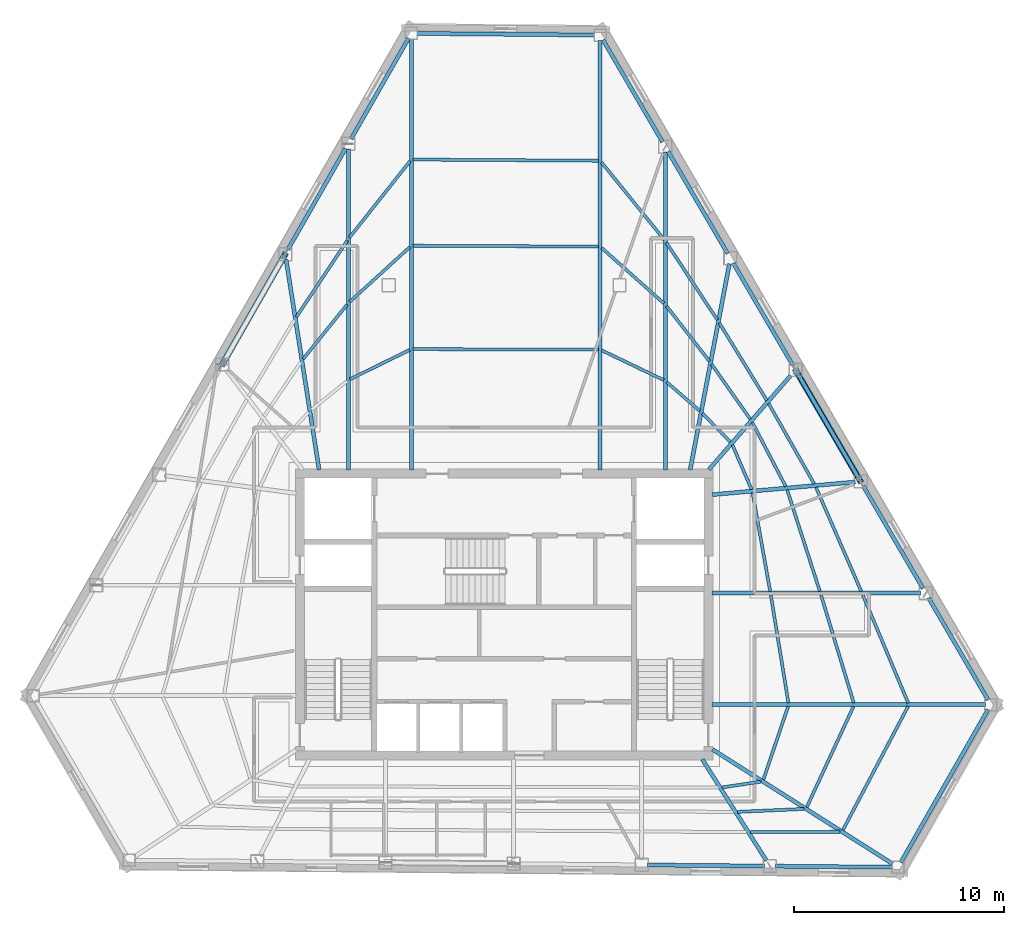
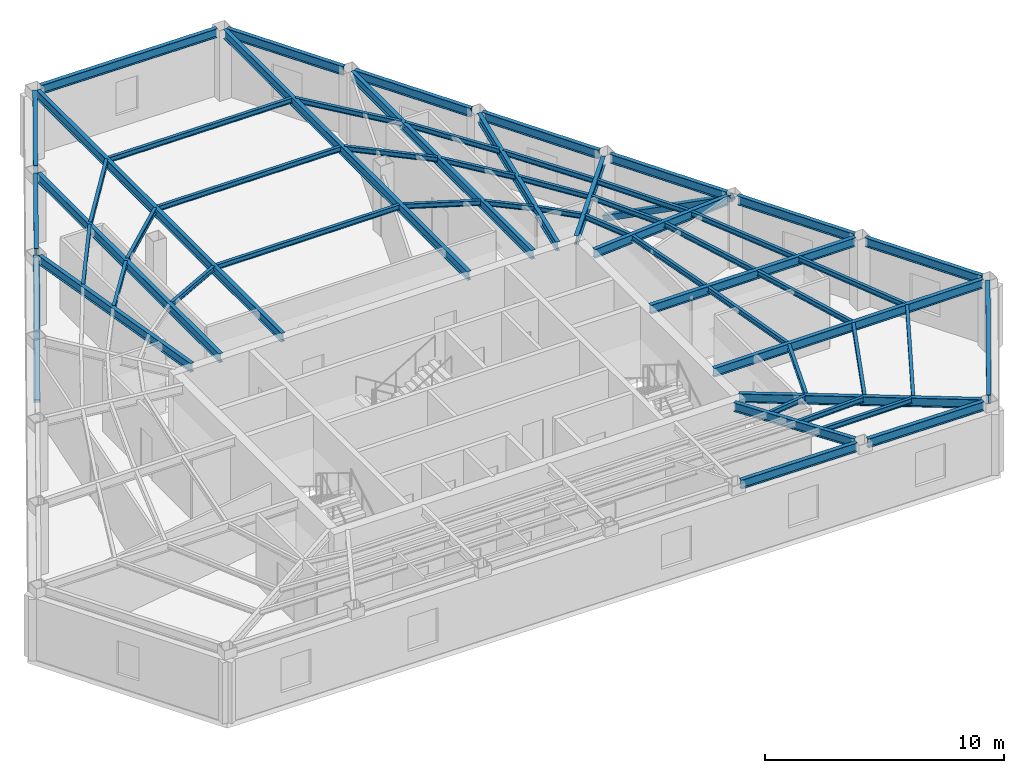
# One storey, part 2 of 10: 56 beams, 2 members.
"""IFC4 building model written with IfcOpenShell, lengths in metres."""

from ifc_helpers import new_model, si_unit, direction, frame, origin, origin_2d, place, context, subcontext, project, spatial, hollow_rectangle, i_section, extrude, material, material_profile, profile_set, type_object, element, save


model = new_model("IFC4")

# Units and contexts
model_context = context("Model", 3, precision=1e-05, world=origin(), true_north=direction((0.0, 1.0)))
body_context = subcontext(model_context, "Body", "Model", "MODEL_VIEW")
ifc_project = project(units=[si_unit("LENGTHUNIT", "METRE"), si_unit("AREAUNIT", "SQUARE_METRE"), si_unit("VOLUMEUNIT", "CUBIC_METRE"), si_unit("PLANEANGLEUNIT", "RADIAN"), si_unit("MASSUNIT", "GRAM", prefix="KILO")], contexts=[model_context])

# Site, building, storey
site_placement = place(None, origin())
site = spatial("IfcSite", under=ifc_project, at=site_placement, CompositionType="ELEMENT")
building_placement = place(site_placement, origin())
building = spatial("IfcBuilding", under=site, at=building_placement, Name="Kavelnor Concourse Tower", CompositionType="ELEMENT")
storey_placement = place(building_placement, frame((0.0, 0.0, 180.39990234375)))
storey = spatial("IfcBuildingStorey", under=building, at=storey_placement, Name="L45", CompositionType="ELEMENT", Elevation=180.39990234375)

# Beams
ifc_material = material(Name="Steel Grade 350", Category="steel")
ifc_material_profile_1 = material_profile(ifc_material, i_section(OverallWidth=0.14599609375, OverallDepth=0.256103515625, WebThickness=0.00634765625, FlangeThickness=0.010986328125, at=origin_2d()), Name="250UB37")
ifc_profile_set_1 = profile_set([ifc_material_profile_1], Name="Steel Grade 350")
beam_type_1 = type_object("IfcBeamType", Name="BM-JOIST-250", PredefinedType="JOIST", material=ifc_profile_set_1)
beam_1_placement = place(storey_placement, frame((48.389892578125, 7.85595703125, 3.47216796875), z_axis=(0.989227943882, 0.146383315454, 0.0), x_axis=(-0.146383315454, 0.989227943882, 0.0)))
element("IfcBeam", 1, at=beam_1_placement, inside=storey, type_object=beam_type_1, Name="L45 Secondary Composite Joist 07-1", PredefinedType="JOIST", context=body_context, shape_type="SweptSolid", body=[
    extrude(i_section(OverallWidth=0.14599609375, OverallDepth=0.256103515625, WebThickness=0.00634765625, FlangeThickness=0.010986328125, at=origin_2d()), origin(), (0.0, 0.0, 1.0), 1.873046875),
])
beam_2_placement = place(storey_placement, frame((49.12353515625, 6.689208984375, 3.47216796875), z_axis=(0.999016375908, 0.044342763421, 0.0), x_axis=(-0.044342763421, 0.999016375908, 0.0)))
element("IfcBeam", 2, at=beam_2_placement, inside=storey, type_object=beam_type_1, Name="L45 Secondary Composite Joist 07-2", PredefinedType="JOIST", context=body_context, shape_type="SweptSolid", body=[
    extrude(i_section(OverallWidth=0.14599609375, OverallDepth=0.256103515625, WebThickness=0.00634765625, FlangeThickness=0.010986328125, at=origin_2d()), origin(), (0.0, 0.0, 1.0), 3.182373046875),
])
beam_3_placement = place(storey_placement, frame((49.734619140625, 5.720703125, 3.47216796875), z_axis=(0.999986266396, 0.005240898742, 0.0), x_axis=(-0.005240898742, 0.999986266396, 0.0)))
element("IfcBeam", 3, at=beam_3_placement, inside=storey, type_object=beam_type_1, Name="L45 Secondary Composite Joist 07-3", PredefinedType="JOIST", context=body_context, shape_type="SweptSolid", body=[
    extrude(i_section(OverallWidth=0.14599609375, OverallDepth=0.256103515625, WebThickness=0.00634765625, FlangeThickness=0.010986328125, at=origin_2d()), origin(), (0.0, 0.0, 1.0), 4.28564453125),
])
beam_4_placement = place(storey_placement, frame((50.359130859375, 8.2275390625, 3.47216796875), z_axis=(0.320581527689, 0.947220926766, 0.0), x_axis=(-0.947220926766, 0.320581527689, 0.0)))
element("IfcBeam", 4, at=beam_4_placement, inside=storey, type_object=beam_type_1, Name="L45 Secondary Composite Joist 08-1", PredefinedType="JOIST", context=body_context, shape_type="SweptSolid", body=[
    extrude(i_section(OverallWidth=0.14599609375, OverallDepth=0.256103515625, WebThickness=0.00634765625, FlangeThickness=0.010986328125, at=origin_2d()), origin(), (0.0, 0.0, 1.0), 3.681396484375),
])
beam_5_placement = place(storey_placement, frame((52.42919921875, 6.9150390625, 3.47216796875), z_axis=(0.420756326642, 0.907173695381, 0.0), x_axis=(-0.907173695381, 0.420756326642, 0.0)))
element("IfcBeam", 5, at=beam_5_placement, inside=storey, type_object=beam_type_1, Name="L45 Secondary Composite Joist 08-2", PredefinedType="JOIST", context=body_context, shape_type="SweptSolid", body=[
    extrude(i_section(OverallWidth=0.14599609375, OverallDepth=0.256103515625, WebThickness=0.00634765625, FlangeThickness=0.010986328125, at=origin_2d()), origin(), (0.0, 0.0, 1.0), 5.294677734375),
])
beam_6_placement = place(storey_placement, frame((54.150634765625, 5.822265625, 3.47216796875), z_axis=(0.466184079045, 0.884687744035, 0.0), x_axis=(-0.884687744035, 0.466184079045, 0.0)))
element("IfcBeam", 6, at=beam_6_placement, inside=storey, type_object=beam_type_1, Name="L45 Secondary Composite Joist 08-3", PredefinedType="JOIST", context=body_context, shape_type="SweptSolid", body=[
    extrude(i_section(OverallWidth=0.14599609375, OverallDepth=0.256103515625, WebThickness=0.00634765625, FlangeThickness=0.010986328125, at=origin_2d()), origin(), (0.0, 0.0, 1.0), 6.666748046875),
])
beam_7_placement = place(storey_placement, frame((51.553466796875, 11.88671875, 3.47216796875), z_axis=(-0.161209150441, 0.986920265175, 0.0), x_axis=(-0.986920265175, -0.161209150441, 0.0)))
element("IfcBeam", 7, at=beam_7_placement, inside=storey, type_object=beam_type_1, Name="L45 Secondary Composite Joist 09-1", PredefinedType="JOIST", context=body_context, shape_type="SweptSolid", body=[
    extrude(i_section(OverallWidth=0.14599609375, OverallDepth=0.256103515625, WebThickness=0.00634765625, FlangeThickness=0.010986328125, at=origin_2d()), origin(), (0.0, 0.0, 1.0), 5.214111328125),
])
beam_8_placement = place(storey_placement, frame((54.668701171875, 11.88427734375, 3.47216796875), z_axis=(-0.290367397807, 0.956915238822, 0.0), x_axis=(-0.956915238822, -0.290367397807, 0.0)))
element("IfcBeam", 8, at=beam_8_placement, inside=storey, type_object=beam_type_1, Name="L45 Secondary Composite Joist 09-2", PredefinedType="JOIST", context=body_context, shape_type="SweptSolid", body=[
    extrude(i_section(OverallWidth=0.14599609375, OverallDepth=0.256103515625, WebThickness=0.00634765625, FlangeThickness=0.010986328125, at=origin_2d()), origin(), (0.0, 0.0, 1.0), 5.3828125),
])
beam_9_placement = place(storey_placement, frame((57.265380859375, 11.881103515625, 3.47216796875), z_axis=(-0.387266616927, 0.921967769184, 0.0), x_axis=(-0.921967769184, -0.387266616927, 0.0)))
element("IfcBeam", 9, at=beam_9_placement, inside=storey, type_object=beam_type_1, Name="L45 Secondary Composite Joist 09-3", PredefinedType="JOIST", context=body_context, shape_type="SweptSolid", body=[
    extrude(i_section(OverallWidth=0.14599609375, OverallDepth=0.256103515625, WebThickness=0.00634765625, FlangeThickness=0.010986328125, at=origin_2d()), origin(), (0.0, 0.0, 1.0), 5.59375),
])
beam_10_placement = place(storey_placement, frame((50.682861328125, 17.2080078125, 3.47216796875), z_axis=(-0.175925472427, 0.98440348849, 0.0), x_axis=(-0.98440348849, -0.175925472427, 0.0)))
element("IfcBeam", 10, at=beam_10_placement, inside=storey, type_object=beam_type_1, Name="L45 Secondary Composite Joist 10-1", PredefinedType="JOIST", context=body_context, shape_type="SweptSolid", body=[
    extrude(i_section(OverallWidth=0.14599609375, OverallDepth=0.256103515625, WebThickness=0.00634765625, FlangeThickness=0.010986328125, at=origin_2d()), origin(), (0.0, 0.0, 1.0), 4.7626953125),
])
beam_11_placement = place(storey_placement, frame((53.052734375, 17.205078125, 3.47216796875), z_axis=(-0.306790920169, 0.951776933584, 0.0), x_axis=(-0.951776933584, -0.306790920169, 0.0)))
element("IfcBeam", 11, at=beam_11_placement, inside=storey, type_object=beam_type_1, Name="L45 Secondary Composite Joist 10-2", PredefinedType="JOIST", context=body_context, shape_type="SweptSolid", body=[
    extrude(i_section(OverallWidth=0.14599609375, OverallDepth=0.256103515625, WebThickness=0.00634765625, FlangeThickness=0.010986328125, at=origin_2d()), origin(), (0.0, 0.0, 1.0), 5.084228515625),
])
beam_12_placement = place(storey_placement, frame((55.029052734375, 17.201904296875, 3.47216796875), z_axis=(-0.399508707587, 0.916729399857, 0.0), x_axis=(-0.916729399857, -0.399508707587, 0.0)))
element("IfcBeam", 12, at=beam_12_placement, inside=storey, type_object=beam_type_1, Name="L45 Secondary Composite Joist 10-3", PredefinedType="JOIST", context=body_context, shape_type="SweptSolid", body=[
    extrude(i_section(OverallWidth=0.14599609375, OverallDepth=0.256103515625, WebThickness=0.00634765625, FlangeThickness=0.010986328125, at=origin_2d()), origin(), (0.0, 0.0, 1.0), 5.41748046875),
])
beam_13_placement = place(storey_placement, frame((49.794189453125, 22.06591796875, 3.47216796875), z_axis=(-0.394098342006, 0.919068276478, 0.0), x_axis=(-0.919068276478, -0.394098342006, 0.0)))
element("IfcBeam", 13, at=beam_13_placement, inside=storey, type_object=beam_type_1, Name="L45 Secondary Composite Joist 11-1", PredefinedType="JOIST", context=body_context, shape_type="SweptSolid", body=[
    extrude(i_section(OverallWidth=0.14599609375, OverallDepth=0.256103515625, WebThickness=0.00634765625, FlangeThickness=0.010986328125, at=origin_2d()), origin(), (0.0, 0.0, 1.0), 2.303955078125),
])
beam_14_placement = place(storey_placement, frame((51.42431640625, 22.2080078125, 3.47216796875), z_axis=(-0.463096135984, 0.88630805527, 0.0), x_axis=(-0.88630805527, -0.463096135984, 0.0)))
element("IfcBeam", 14, at=beam_14_placement, inside=storey, type_object=beam_type_1, Name="L45 Secondary Composite Joist 11-2", PredefinedType="JOIST", context=body_context, shape_type="SweptSolid", body=[
    extrude(i_section(OverallWidth=0.14599609375, OverallDepth=0.256103515625, WebThickness=0.00634765625, FlangeThickness=0.010986328125, at=origin_2d()), origin(), (0.0, 0.0, 1.0), 3.4462890625),
])
beam_15_placement = place(storey_placement, frame((52.785400390625, 22.3271484375, 3.47216796875), z_axis=(-0.493356370439, 0.869827276962, 0.0), x_axis=(-0.869827276962, -0.493356370439, 0.0)))
element("IfcBeam", 15, at=beam_15_placement, inside=storey, type_object=beam_type_1, Name="L45 Secondary Composite Joist 11-3", PredefinedType="JOIST", context=body_context, shape_type="SweptSolid", body=[
    extrude(i_section(OverallWidth=0.14599609375, OverallDepth=0.256103515625, WebThickness=0.00634765625, FlangeThickness=0.010986328125, at=origin_2d()), origin(), (0.0, 0.0, 1.0), 4.4072265625),
])
beam_16_placement = place(storey_placement, frame((48.788818359375, 24.32861328125, 3.47216796875), z_axis=(-0.700669571073, 0.713485915889, 0.0), x_axis=(-0.713485915889, -0.700669571073, 0.0)))
element("IfcBeam", 16, at=beam_16_placement, inside=storey, type_object=beam_type_1, Name="L45 Secondary Composite Joist 12-1", PredefinedType="JOIST", context=body_context, shape_type="SweptSolid", body=[
    extrude(i_section(OverallWidth=0.14599609375, OverallDepth=0.256103515625, WebThickness=0.00634765625, FlangeThickness=0.010986328125, at=origin_2d()), origin(), (0.0, 0.0, 1.0), 1.905029296875),
])
beam_17_placement = place(storey_placement, frame((49.73583984375, 25.4140625, 3.47216796875), z_axis=(-0.57523488902, 0.8179882777, 0.0), x_axis=(-0.8179882777, -0.57523488902, 0.0)))
element("IfcBeam", 17, at=beam_17_placement, inside=storey, type_object=beam_type_1, Name="L45 Secondary Composite Joist 12-2", PredefinedType="JOIST", context=body_context, shape_type="SweptSolid", body=[
    extrude(i_section(OverallWidth=0.14599609375, OverallDepth=0.256103515625, WebThickness=0.00634765625, FlangeThickness=0.010986328125, at=origin_2d()), origin(), (0.0, 0.0, 1.0), 3.205322265625),
])
beam_18_placement = place(storey_placement, frame((50.5205078125, 26.31396484375, 3.47216796875), z_axis=(-0.52274753306, 0.852487546348, 0.0), x_axis=(-0.852487546348, -0.52274753306, 0.0)))
element("IfcBeam", 18, at=beam_18_placement, inside=storey, type_object=beam_type_1, Name="L45 Secondary Composite Joist 12-3", PredefinedType="JOIST", context=body_context, shape_type="SweptSolid", body=[
    extrude(i_section(OverallWidth=0.14599609375, OverallDepth=0.256103515625, WebThickness=0.00634765625, FlangeThickness=0.010986328125, at=origin_2d()), origin(), (0.0, 0.0, 1.0), 4.321044921875),
])
beam_19_placement = place(storey_placement, frame((47.32470703125, 25.809814453125, 3.47216796875), z_axis=(-0.753532081517, 0.657411136295, 0.0), x_axis=(-0.657411136295, -0.753532081517, 0.0)))
element("IfcBeam", 19, at=beam_19_placement, inside=storey, type_object=beam_type_1, Name="L45 Secondary Composite Joist 13-1", PredefinedType="JOIST", context=body_context, shape_type="SweptSolid", body=[
    extrude(i_section(OverallWidth=0.14599609375, OverallDepth=0.256103515625, WebThickness=0.00634765625, FlangeThickness=0.010986328125, at=origin_2d()), origin(), (0.0, 0.0, 1.0), 2.087890625),
])
beam_20_placement = place(storey_placement, frame((47.786376953125, 28.178955078125, 3.47216796875), z_axis=(-0.614757382172, 0.788716274122, 0.0), x_axis=(-0.788716274122, -0.614757382172, 0.0)))
element("IfcBeam", 20, at=beam_20_placement, inside=storey, type_object=beam_type_1, Name="L45 Secondary Composite Joist 13-2", PredefinedType="JOIST", context=body_context, shape_type="SweptSolid", body=[
    extrude(i_section(OverallWidth=0.14599609375, OverallDepth=0.256103515625, WebThickness=0.00634765625, FlangeThickness=0.010986328125, at=origin_2d()), origin(), (0.0, 0.0, 1.0), 3.330322265625),
])
beam_21_placement = place(storey_placement, frame((48.166259765625, 30.147705078125, 3.47216796875), z_axis=(-0.551159632026, 0.834399820245, 0.0), x_axis=(-0.834399820245, -0.551159632026, 0.0)))
element("IfcBeam", 21, at=beam_21_placement, inside=storey, type_object=beam_type_1, Name="L45 Secondary Composite Joist 13-3", PredefinedType="JOIST", context=body_context, shape_type="SweptSolid", body=[
    extrude(i_section(OverallWidth=0.14599609375, OverallDepth=0.256103515625, WebThickness=0.00634765625, FlangeThickness=0.010986328125, at=origin_2d()), origin(), (0.0, 0.0, 1.0), 4.4140625),
])
beam_22_placement = place(storey_placement, frame((45.604248046875, 27.279296875, 3.47216796875), z_axis=(-0.901546386745, 0.432682461566, 0.0), x_axis=(-0.432682461566, -0.901546386745, 0.0)))
element("IfcBeam", 22, at=beam_22_placement, inside=storey, type_object=beam_type_1, Name="L45 Secondary Composite Joist 14-1", PredefinedType="JOIST", context=body_context, shape_type="SweptSolid", body=[
    extrude(i_section(OverallWidth=0.14599609375, OverallDepth=0.256103515625, WebThickness=0.00634765625, FlangeThickness=0.010986328125, at=origin_2d()), origin(), (0.0, 0.0, 1.0), 3.265869140625),
])
beam_23_placement = place(storey_placement, frame((45.617919921875, 30.93505859375, 3.47216796875), z_axis=(-0.74653909745, 0.665341548364, 0.0), x_axis=(-0.665341548364, -0.74653909745, 0.0)))
element("IfcBeam", 23, at=beam_23_placement, inside=storey, type_object=beam_type_1, Name="L45 Secondary Composite Joist 14-2", PredefinedType="JOIST", context=body_context, shape_type="SweptSolid", body=[
    extrude(i_section(OverallWidth=0.14599609375, OverallDepth=0.256103515625, WebThickness=0.00634765625, FlangeThickness=0.010986328125, at=origin_2d()), origin(), (0.0, 0.0, 1.0), 3.98095703125),
])
beam_24_placement = place(storey_placement, frame((45.62841796875, 33.974365234375, 3.47216796875), z_axis=(-0.629580825631, 0.776934993418, 0.0), x_axis=(-0.776934993418, -0.629580825631, 0.0)))
element("IfcBeam", 24, at=beam_24_placement, inside=storey, type_object=beam_type_1, Name="L45 Secondary Composite Joist 14-3", PredefinedType="JOIST", context=body_context, shape_type="SweptSolid", body=[
    extrude(i_section(OverallWidth=0.14599609375, OverallDepth=0.256103515625, WebThickness=0.00634765625, FlangeThickness=0.010986328125, at=origin_2d()), origin(), (0.0, 0.0, 1.0), 4.75341796875),
])
for number, where, z_axis, x_axis, name in (
    (25, (42.49072265625, 28.731201171875, 3.47216796875), (-0.999996693772, 0.00257146747, 0.0), (-0.00257146747, -0.999996693772, 0.0), "L45 Secondary Composite Joist 15-1"),
    (26, (42.49072265625, 33.6435546875, 3.47216796875), (-0.999988691147, 0.004755794251, 0.0), (-0.004755794251, -0.999988691147, 0.0), "L45 Secondary Composite Joist 15-2"),
):
    element("IfcBeam", number, at=place(storey_placement, frame(where, z_axis=z_axis, x_axis=x_axis)), inside=storey, type_object=beam_type_1, Name=name, PredefinedType="JOIST", context=body_context, shape_type="SweptSolid", body=[
        extrude(i_section(OverallWidth=0.14599609375, OverallDepth=0.256103515625, WebThickness=0.00634765625, FlangeThickness=0.010986328125, at=origin_2d()), origin(), (0.0, 0.0, 1.0), 8.82958984375),
    ])
beam_25_placement = place(storey_placement, frame((42.49072265625, 37.737060546875, 3.47216796875), z_axis=(-0.999978165129, 0.006608272451, 0.0), x_axis=(-0.006608272451, -0.999978165129, 0.0)))
element("IfcBeam", 27, at=beam_25_placement, inside=storey, type_object=beam_type_1, Name="L45 Secondary Composite Joist 15-3", PredefinedType="JOIST", context=body_context, shape_type="SweptSolid", body=[
    extrude(i_section(OverallWidth=0.14599609375, OverallDepth=0.256103515625, WebThickness=0.00634765625, FlangeThickness=0.010986328125, at=origin_2d()), origin(), (0.0, 0.0, 1.0), 8.829833984375),
])
beam_26_placement = place(storey_placement, frame((33.4921875, 28.71484375, 3.47216796875), z_axis=(-0.897911769378, -0.440175481386, 0.0), x_axis=(0.440175481386, -0.897911769378, 0.0)))
element("IfcBeam", 28, at=beam_26_placement, inside=storey, type_object=beam_type_1, Name="L45 Secondary Composite Joist 16-1", PredefinedType="JOIST", context=body_context, shape_type="SweptSolid", body=[
    extrude(i_section(OverallWidth=0.14599609375, OverallDepth=0.256103515625, WebThickness=0.00634765625, FlangeThickness=0.010986328125, at=origin_2d()), origin(), (0.0, 0.0, 1.0), 3.169677734375),
])
beam_27_placement = place(storey_placement, frame((33.50634765625, 33.626220703125, 3.47216796875), z_axis=(-0.739459615464, -0.673200918818, 0.0), x_axis=(0.673200918818, -0.739459615464, 0.0)))
element("IfcBeam", 29, at=beam_27_placement, inside=storey, type_object=beam_type_1, Name="L45 Secondary Composite Joist 16-2", PredefinedType="JOIST", context=body_context, shape_type="SweptSolid", body=[
    extrude(i_section(OverallWidth=0.14599609375, OverallDepth=0.256103515625, WebThickness=0.00634765625, FlangeThickness=0.010986328125, at=origin_2d()), origin(), (0.0, 0.0, 1.0), 3.88720703125),
])
beam_28_placement = place(storey_placement, frame((33.516845703125, 37.726318359375, 3.47216796875), z_axis=(-0.6214945386, -0.783418495116, 0.0), x_axis=(0.783418495116, -0.6214945386, 0.0)))
element("IfcBeam", 30, at=beam_28_placement, inside=storey, type_object=beam_type_1, Name="L45 Secondary Composite Joist 16-3", PredefinedType="JOIST", context=body_context, shape_type="SweptSolid", body=[
    extrude(i_section(OverallWidth=0.14599609375, OverallDepth=0.256103515625, WebThickness=0.00634765625, FlangeThickness=0.010986328125, at=origin_2d()), origin(), (0.0, 0.0, 1.0), 4.658935546875),
])
beam_29_placement = place(storey_placement, frame((30.510009765625, 30.880126953125, 3.47216796875), z_axis=(-0.628139667074, -0.778100609592, 0.0), x_axis=(0.778100609592, -0.628139667074, 0.0)))
element("IfcBeam", 31, at=beam_29_placement, inside=storey, type_object=beam_type_1, Name="L45 Secondary Composite Joist 17-2", PredefinedType="JOIST", context=body_context, shape_type="SweptSolid", body=[
    extrude(i_section(OverallWidth=0.14599609375, OverallDepth=0.256103515625, WebThickness=0.00634765625, FlangeThickness=0.010986328125, at=origin_2d()), origin(), (0.0, 0.0, 1.0), 3.339111328125),
])
beam_30_placement = place(storey_placement, frame((30.5166015625, 33.9326171875, 3.47216796875), z_axis=(-0.554378228594, -0.832264849469, 0.0), x_axis=(0.832264849469, -0.554378228594, 0.0)))
element("IfcBeam", 32, at=beam_30_placement, inside=storey, type_object=beam_type_1, Name="L45 Secondary Composite Joist 17-3", PredefinedType="JOIST", context=body_context, shape_type="SweptSolid", body=[
    extrude(i_section(OverallWidth=0.14599609375, OverallDepth=0.256103515625, WebThickness=0.00634765625, FlangeThickness=0.010986328125, at=origin_2d()), origin(), (0.0, 0.0, 1.0), 4.375244140625),
])
ifc_material_profile_2 = material_profile(ifc_material, i_section(OverallWidth=0.18994140625, OverallDepth=0.4541015625, WebThickness=0.008544921875, FlangeThickness=0.0126953125, at=origin_2d()), Name="460UB67")
ifc_profile_set_2 = profile_set([ifc_material_profile_2], Name="Steel Grade 350")
beam_type_2 = type_object("IfcBeamType", Name="BM-PRIMARY-460", PredefinedType="BEAM", material=ifc_profile_set_2)
beam_31_placement = place(storey_placement, frame((33.572265625, 23.0, 3.373046875), z_axis=(0.0, 1.0, 0.0), x_axis=(-1.0, 0.0, 0.0)))
element("IfcBeam", 33, at=beam_31_placement, inside=storey, type_object=beam_type_2, Name="L45 Primary Floor Girder F0-B0", PredefinedType="BEAM", context=body_context, shape_type="SweptSolid", body=[
    extrude(i_section(OverallWidth=0.18994140625, OverallDepth=0.4541015625, WebThickness=0.008544921875, FlangeThickness=0.0126953125, at=origin_2d()), origin(), (0.0, 0.0, 1.0), 20.550048828125),
])
beam_32_placement = place(storey_placement, frame((30.56591796875, 23.0, 3.373046875), z_axis=(0.0, 1.0, 0.0), x_axis=(-1.0, 0.0, 0.0)))
element("IfcBeam", 34, at=beam_32_placement, inside=storey, type_object=beam_type_2, Name="L45 Primary Floor Girder F0-B1", PredefinedType="BEAM", context=body_context, shape_type="SweptSolid", body=[
    extrude(i_section(OverallWidth=0.18994140625, OverallDepth=0.4541015625, WebThickness=0.008544921875, FlangeThickness=0.0126953125, at=origin_2d()), origin(), (0.0, 0.0, 1.0), 15.287109375),
])
beam_33_placement = place(storey_placement, frame((29.17578125, 23.00048828125, 3.373046875), z_axis=(-0.155226092752, 0.987878970385, 0.0), x_axis=(-0.987878970385, -0.155226092752, 0.0)))
element("IfcBeam", 35, at=beam_33_placement, inside=storey, type_object=beam_type_2, Name="L45 Primary Floor Girder F0-B2", PredefinedType="BEAM", context=body_context, shape_type="SweptSolid", body=[
    extrude(i_section(OverallWidth=0.18994140625, OverallDepth=0.4541015625, WebThickness=0.008544921875, FlangeThickness=0.0126953125, at=origin_2d()), origin(), (0.0, 0.0, 1.0), 10.146240234375),
])
beam_34_placement = place(storey_placement, frame((47.44677734375, 9.19384765625, 3.373046875), z_axis=(0.534829281869, -0.844960140631, 0.0), x_axis=(0.844960140631, 0.534829281869, 0.0)))
element("IfcBeam", 36, at=beam_34_placement, inside=storey, type_object=beam_type_2, Name="L45 Primary Floor Girder F1-B5", PredefinedType="BEAM", context=body_context, shape_type="SweptSolid", body=[
    extrude(i_section(OverallWidth=0.18994140625, OverallDepth=0.4541015625, WebThickness=0.008544921875, FlangeThickness=0.0126953125, at=origin_2d()), origin(), (0.0, 0.0, 1.0), 5.709716796875),
])
beam_35_placement = place(storey_placement, frame((47.92626953125, 9.67041015625, 3.373046875), z_axis=(0.844133513898, -0.536133015878, 0.0), x_axis=(0.536133015878, 0.844133513898, 0.0)))
element("IfcBeam", 37, at=beam_35_placement, inside=storey, type_object=beam_type_2, Name="L45 Primary Floor Girder F1-B6", PredefinedType="BEAM", context=body_context, shape_type="SweptSolid", body=[
    extrude(i_section(OverallWidth=0.18994140625, OverallDepth=0.4541015625, WebThickness=0.008544921875, FlangeThickness=0.0126953125, at=origin_2d()), origin(), (0.0, 0.0, 1.0), 10.173095703125),
])
beam_36_placement = place(storey_placement, frame((47.919921875, 11.799072265625, 3.373046875), z_axis=(1.0, 0.0, 0.0), x_axis=(0.0, 1.0, 0.0)))
element("IfcBeam", 38, at=beam_36_placement, inside=storey, type_object=beam_type_2, Name="L45 Primary Floor Girder F2-B0", PredefinedType="BEAM", context=body_context, shape_type="SweptSolid", body=[
    extrude(i_section(OverallWidth=0.18994140625, OverallDepth=0.4541015625, WebThickness=0.008544921875, FlangeThickness=0.0126953125, at=origin_2d()), origin(), (0.0, 0.0, 1.0), 13.02783203125),
])
beam_37_placement = place(storey_placement, frame((47.919921875, 17.120361328125, 3.373046875), z_axis=(1.0, 0.0, 0.0), x_axis=(0.0, 1.0, 0.0)))
element("IfcBeam", 39, at=beam_37_placement, inside=storey, type_object=beam_type_2, Name="L45 Primary Floor Girder F2-B1", PredefinedType="BEAM", context=body_context, shape_type="SweptSolid", body=[
    extrude(i_section(OverallWidth=0.18994140625, OverallDepth=0.4541015625, WebThickness=0.008544921875, FlangeThickness=0.0126953125, at=origin_2d()), origin(), (0.0, 0.0, 1.0), 9.923095703125),
])
beam_38_placement = place(storey_placement, frame((47.920166015625, 21.815185546875, 3.373046875), z_axis=(0.996105287463, 0.088171743138, 0.0), x_axis=(-0.088171743138, 0.996105287463, 0.0)))
element("IfcBeam", 40, at=beam_38_placement, inside=storey, type_object=beam_type_2, Name="L45 Primary Floor Girder F2-B2", PredefinedType="BEAM", context=body_context, shape_type="SweptSolid", body=[
    extrude(i_section(OverallWidth=0.18994140625, OverallDepth=0.4541015625, WebThickness=0.008544921875, FlangeThickness=0.0126953125, at=origin_2d()), origin(), (0.0, 0.0, 1.0), 6.8447265625),
])
beam_39_placement = place(storey_placement, frame((47.75927734375, 23.009765625, 3.373046875), z_axis=(0.656259069004, 0.754535641537, 0.0), x_axis=(-0.754535641537, 0.656259069004, 0.0)))
element("IfcBeam", 41, at=beam_39_placement, inside=storey, type_object=beam_type_2, Name="L45 Primary Floor Girder F2-B3", PredefinedType="BEAM", context=body_context, shape_type="SweptSolid", body=[
    extrude(i_section(OverallWidth=0.18994140625, OverallDepth=0.4541015625, WebThickness=0.008544921875, FlangeThickness=0.0126953125, at=origin_2d()), origin(), (0.0, 0.0, 1.0), 5.942138671875),
])
beam_40_placement = place(storey_placement, frame((46.867919921875, 23.000732421875, 3.373046875), z_axis=(0.187135667376, 0.982334078609, 0.0), x_axis=(-0.982334078609, 0.187135667376, 0.0)))
element("IfcBeam", 42, at=beam_40_placement, inside=storey, type_object=beam_type_2, Name="L45 Primary Floor Girder F2-B4", PredefinedType="BEAM", context=body_context, shape_type="SweptSolid", body=[
    extrude(i_section(OverallWidth=0.18994140625, OverallDepth=0.4541015625, WebThickness=0.008544921875, FlangeThickness=0.0126953125, at=origin_2d()), origin(), (0.0, 0.0, 1.0), 10.0),
])
beam_41_placement = place(storey_placement, frame((45.684326171875, 23.0, 3.373046875), z_axis=(0.0, 1.0, 0.0), x_axis=(-1.0, 0.0, 0.0)))
element("IfcBeam", 43, at=beam_41_placement, inside=storey, type_object=beam_type_2, Name="L45 Primary Floor Girder F2-B5", PredefinedType="BEAM", context=body_context, shape_type="SweptSolid", body=[
    extrude(i_section(OverallWidth=0.18994140625, OverallDepth=0.4541015625, WebThickness=0.008544921875, FlangeThickness=0.0126953125, at=origin_2d()), origin(), (0.0, 0.0, 1.0), 15.14599609375),
])
beam_42_placement = place(storey_placement, frame((42.57958984375, 23.0, 3.373046875), z_axis=(0.0, 1.0, 0.0), x_axis=(-1.0, 0.0, 0.0)))
element("IfcBeam", 44, at=beam_42_placement, inside=storey, type_object=beam_type_2, Name="L45 Primary Floor Girder F2-B6", PredefinedType="BEAM", context=body_context, shape_type="SweptSolid", body=[
    extrude(i_section(OverallWidth=0.18994140625, OverallDepth=0.4541015625, WebThickness=0.008544921875, FlangeThickness=0.0126953125, at=origin_2d()), origin(), (0.0, 0.0, 1.0), 20.46728515625),
])
ifc_material_profile_3 = material_profile(ifc_material, i_section(OverallWidth=0.19091796875, OverallDepth=0.4599609375, WebThickness=0.010009765625, FlangeThickness=0.01611328125, at=origin_2d()), Name="460UB82")
ifc_profile_set_3 = profile_set([ifc_material_profile_3], Name="Steel Grade 350")
beam_type_3 = type_object("IfcBeamType", Name="BM-SPANDREL-Z3", PredefinedType="SPANDREL", material=ifc_profile_set_3)
beam_43_placement = place(storey_placement, frame((33.44091796875, 43.579833984375, 3.3701171875), z_axis=(-0.496020090717, -0.868311044272, 0.0), x_axis=(0.868311044272, -0.496020090717, 0.0)))
element("IfcBeam", 45, at=beam_43_placement, inside=storey, type_object=beam_type_3, Name="L45 Perimeter Tube Spandrel Beam F0-B0", PredefinedType="SPANDREL", context=body_context, shape_type="SweptSolid", body=[
    extrude(i_section(OverallWidth=0.19091796875, OverallDepth=0.4599609375, WebThickness=0.010009765625, FlangeThickness=0.01611328125, at=origin_2d()), origin(), (0.0, 0.0, 1.0), 5.53076171875),
])
beam_44_placement = place(storey_placement, frame((30.4345703125, 38.317138671875, 3.3701171875), z_axis=(-0.495967797623, -0.868340914457, 0.0), x_axis=(0.868340914457, -0.495967797623, 0.0)))
element("IfcBeam", 46, at=beam_44_placement, inside=storey, type_object=beam_type_3, Name="L45 Perimeter Tube Spandrel Beam F0-B1", PredefinedType="SPANDREL", context=body_context, shape_type="SweptSolid", body=[
    extrude(i_section(OverallWidth=0.19091796875, OverallDepth=0.4599609375, WebThickness=0.010009765625, FlangeThickness=0.01611328125, at=origin_2d()), origin(), (0.0, 0.0, 1.0), 5.531005859375),
])
beam_45_placement = place(storey_placement, frame((42.314697265625, 43.729736328125, 3.3701171875), z_axis=(-0.99995780467, 0.009186342002, 0.0), x_axis=(-0.009186342002, -0.99995780467, 0.0)))
element("IfcBeam", 47, at=beam_45_placement, inside=storey, type_object=beam_type_3, Name="L45 Chamfer Facet Spandrel Beam C0", PredefinedType="SPANDREL", context=body_context, shape_type="SweptSolid", body=[
    extrude(i_section(OverallWidth=0.19091796875, OverallDepth=0.4599609375, WebThickness=0.010009765625, FlangeThickness=0.01611328125, at=origin_2d()), origin(), (0.0, 0.0, 1.0), 8.477783203125),
])
for number, where, z_axis, x_axis, name in (
    (48, (44.8232421875, 4.156982421875, 3.3701171875), (0.99995780445, -0.009186365936, 0.0), (0.009186365936, 0.99995780445, 0.0), "L45 Perimeter Tube Spandrel Beam F1-B4"),
    (49, (50.93408203125, 4.100830078125, 3.3701171875), (0.999958205331, -0.009142625002, 0.0), (0.009142625002, 0.999958205331, 0.0), "L45 Perimeter Tube Spandrel Beam F1-B5"),
):
    element("IfcBeam", number, at=place(storey_placement, frame(where, z_axis=z_axis, x_axis=x_axis)), inside=storey, type_object=beam_type_3, Name=name, PredefinedType="SPANDREL", context=body_context, shape_type="SweptSolid", body=[
        extrude(i_section(OverallWidth=0.19091796875, OverallDepth=0.4599609375, WebThickness=0.010009765625, FlangeThickness=0.01611328125, at=origin_2d()), origin(), (0.0, 0.0, 1.0), 5.5810546875),
    ])
beam_46_placement = place(storey_placement, frame((61.07421875, 12.02783203125, 3.3701171875), z_axis=(-0.50393033037, 0.863744303676, 0.0), x_axis=(-0.863744303676, -0.50393033037, 0.0)))
element("IfcBeam", 50, at=beam_46_placement, inside=storey, type_object=beam_type_3, Name="L45 Perimeter Tube Spandrel Beam F2-B0", PredefinedType="SPANDREL", context=body_context, shape_type="SweptSolid", body=[
    extrude(i_section(OverallWidth=0.19091796875, OverallDepth=0.4599609375, WebThickness=0.010009765625, FlangeThickness=0.01611328125, at=origin_2d()), origin(), (0.0, 0.0, 1.0), 5.631103515625),
])
for number, where, z_axis, x_axis, name in (
    (51, (57.969482421875, 17.349365234375, 3.3701171875), (-0.503949202523, 0.863733292907, 0.0), (-0.863733292907, -0.503949202523, 0.0), "L45 Perimeter Tube Spandrel Beam F2-B1"),
    (52, (54.864990234375, 22.670654296875, 3.3701171875), (-0.503981548004, 0.863714419974, 0.0), (-0.863714419974, -0.503981548004, 0.0), "L45 Perimeter Tube Spandrel Beam F2-B2"),
    (53, (51.76025390625, 27.9921875, 3.3701171875), (-0.503949202523, 0.863733292907, 0.0), (-0.863733292907, -0.503949202523, 0.0), "L45 Perimeter Tube Spandrel Beam F2-B3"),
    (54, (48.655517578125, 33.3134765625, 3.3701171875), (-0.503949202523, 0.863733292907, 0.0), (-0.863733292907, -0.503949202523, 0.0), "L45 Perimeter Tube Spandrel Beam F2-B4"),
    (55, (45.55078125, 38.635009765625, 3.3701171875), (-0.503949202523, 0.863733292907, 0.0), (-0.863733292907, -0.503949202523, 0.0), "L45 Perimeter Tube Spandrel Beam F2-B5"),
):
    element("IfcBeam", number, at=place(storey_placement, frame(where, z_axis=z_axis, x_axis=x_axis)), inside=storey, type_object=beam_type_3, Name=name, PredefinedType="SPANDREL", context=body_context, shape_type="SweptSolid", body=[
        extrude(i_section(OverallWidth=0.19091796875, OverallDepth=0.4599609375, WebThickness=0.010009765625, FlangeThickness=0.01611328125, at=origin_2d()), origin(), (0.0, 0.0, 1.0), 5.630859375),
    ])
beam_47_placement = place(storey_placement, frame((56.911376953125, 4.27734375, 3.3701171875), z_axis=(0.496001166434, 0.868321854439, 0.0), x_axis=(-0.868321854439, 0.496001166434, 0.0)))
element("IfcBeam", 56, at=beam_47_placement, inside=storey, type_object=beam_type_3, Name="L45 Chamfer Facet Spandrel Beam C2", PredefinedType="SPANDREL", context=body_context, shape_type="SweptSolid", body=[
    extrude(i_section(OverallWidth=0.19091796875, OverallDepth=0.4599609375, WebThickness=0.010009765625, FlangeThickness=0.01611328125, at=origin_2d()), origin(), (0.0, 0.0, 1.0), 8.397216796875),
])

# Members
ifc_material_profile_4 = material_profile(ifc_material, hollow_rectangle(XDim=0.280029296875, YDim=0.280029296875, WallThickness=0.01611328125, at=origin_2d()), Name="SHS 280x280x16")
ifc_profile_set_4 = profile_set([ifc_material_profile_4], Name="Steel Grade 350")
member_type = type_object("IfcMemberType", Name="MBR-TUBE-DIAG-Z3", PredefinedType="BRACE", material=ifc_profile_set_4)
member_1_placement = place(storey_placement, frame((24.5537109375, 28.021484375, 0.22021484375), z_axis=(0.44010584678, 0.770480113147, 0.461158583217), x_axis=(-0.868324934347, 0.495995774569, 0.0)))
element("IfcMember", 57, at=member_1_placement, inside=storey, type_object=member_type, Name="L45 Framed-Tube Bracing Diagonal F0-B2", PredefinedType="BRACE", context=body_context, shape_type="SweptSolid", body=[
    extrude(hollow_rectangle(XDim=0.280029296875, YDim=0.280029296875, WallThickness=0.01611328125, at=origin_2d()), origin(), (0.0, 0.0, 1.0), 6.830322265625),
])
member_2_placement = place(storey_placement, frame((51.893798828125, 27.76318359375, 0.22021484375), z_axis=(0.448675354373, -0.769056938023, 0.455238237033), x_axis=(0.863750153185, 0.503920304088, 0.0)))
element("IfcMember", 58, at=member_2_placement, inside=storey, type_object=member_type, Name="L45 Framed-Tube Bracing Diagonal F2-B2", PredefinedType="BRACE", context=body_context, shape_type="SweptSolid", body=[
    extrude(hollow_rectangle(XDim=0.280029296875, YDim=0.280029296875, WallThickness=0.01611328125, at=origin_2d()), origin(), (0.0, 0.0, 1.0), 6.919189453125),
])

save(model, "model.ifc")
